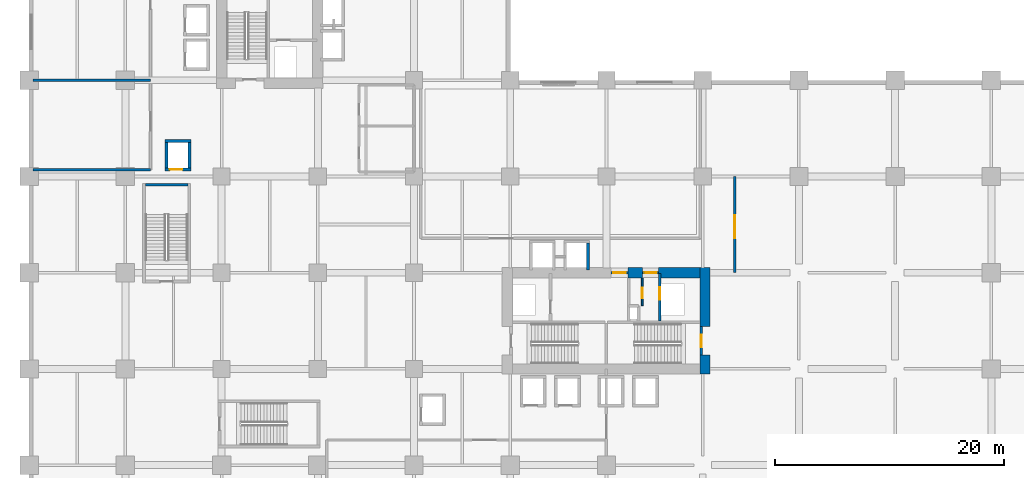
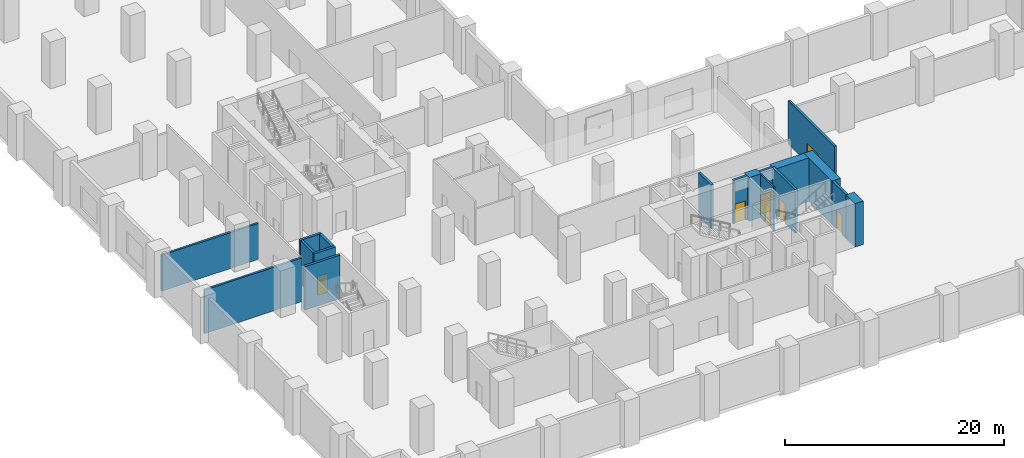
# One storey, part 10 of 19: 18 walls, 7 doors, 7 openings.
"""IFC4 building model written with IfcOpenShell, lengths in metres."""

from ifc_helpers import new_model, si_unit, direction, frame, frame_2d, origin, place, context, subcontext, project, spatial, rectangle, extrude, material, layer, layer_set, type_object, element, fill, save


model = new_model("IFC4")

# Units and contexts
model_context = context("Model", 3, precision=1e-05, world=origin(), true_north=direction((0.0, 1.0)))
body_context = subcontext(model_context, "Body", "Model", "MODEL_VIEW")
ifc_project = project(units=[si_unit("LENGTHUNIT", "METRE"), si_unit("AREAUNIT", "SQUARE_METRE"), si_unit("VOLUMEUNIT", "CUBIC_METRE"), si_unit("PLANEANGLEUNIT", "RADIAN"), si_unit("MASSUNIT", "GRAM", prefix="KILO")], contexts=[model_context])

# Site, building, storey
site_placement = place(None, origin())
site = spatial("IfcSite", under=ifc_project, at=site_placement, CompositionType="ELEMENT")
building_placement = place(site_placement, origin())
building = spatial("IfcBuilding", under=site, at=building_placement, Name="Koriwani Terraces Tower", CompositionType="ELEMENT")
storey_placement = place(building_placement, frame((0.0, 0.0, 15.60009765625)))
storey = spatial("IfcBuildingStorey", under=building, at=storey_placement, Name="L03", CompositionType="ELEMENT", Elevation=15.60009765625)

# Walls
ifc_material_1 = material(Name="Concrete C60/75", Category="concrete")
ifc_layer_1 = layer(ifc_material_1, 0.89990234375, Name="Concrete C60/75")
ifc_layer_set_1 = layer_set([ifc_layer_1], Name="Concrete C60/75")
wall_type_1 = type_object("IfcWallType", Name="WALL_CORE_RC_900", PredefinedType="SHEAR", material=ifc_layer_set_1)
wall_1_placement = place(storey_placement, frame((59.0, 16.35009765625, 0.0), z_axis=(0.0, 0.0, 1.0), x_axis=(0.0, 1.0, 0.0)))
element("IfcWall", 1, at=wall_1_placement, inside=storey, type_object=wall_type_1, Name="L03 East Split Core Shear Wall E1", PredefinedType="SHEAR", context=body_context, shape_type="SweptSolid", body=[
    extrude(rectangle(XDim=1.64990234375, YDim=0.89990234375, at=frame_2d((0.824951171875, 0.0))), origin(), (0.0, 0.0, 1.0), 4.849853515625),
])
wall_2_placement = place(storey_placement, frame((59.0, 20.5, 0.0), z_axis=(0.0, 0.0, 1.0), x_axis=(0.0, 1.0, 0.0)))
element("IfcWall", 2, at=wall_2_placement, inside=storey, type_object=wall_type_1, Name="L03 East Split Core Shear Wall E2", PredefinedType="SHEAR", context=body_context, shape_type="SweptSolid", body=[
    extrude(rectangle(XDim=5.14990234375, YDim=0.89990234375, at=frame_2d((2.574951171875, 0.0))), origin(), (0.0, 0.0, 1.0), 4.849853515625),
])
wall_3_placement = place(storey_placement, frame((52.280029296875, 25.199951171875, 0.0), z_axis=(0.0, 0.0, 1.0), x_axis=(1.0, 0.0, 0.0)))
element("IfcWall", 3, at=wall_3_placement, inside=storey, type_object=wall_type_1, Name="L03 East Split Core Shear Wall N2", PredefinedType="SHEAR", context=body_context, shape_type="SweptSolid", body=[
    extrude(rectangle(XDim=1.27001953125, YDim=0.89990234375, at=frame_2d((0.635009765625, 0.0))), origin(), (0.0, 0.0, 1.0), 4.849853515625),
])
wall_4_placement = place(storey_placement, frame((54.949951171875, 25.199951171875, 0.0), z_axis=(0.0, 0.0, 1.0), x_axis=(1.0, 0.0, 0.0)))
element("IfcWall", 4, at=wall_4_placement, inside=storey, type_object=wall_type_1, Name="L03 East Split Core Shear Wall N3", PredefinedType="SHEAR", context=body_context, shape_type="SweptSolid", body=[
    extrude(rectangle(XDim=3.60009765625, YDim=0.89990234375, at=frame_2d((1.800048828125, 0.0))), origin(), (0.0, 0.0, 1.0), 4.849853515625),
])

# Wall, opening, door
ifc_material_2 = material(Name="Autoclaved Cellular Concrete Blockwork", Category="masonry")
ifc_layer_2 = layer(ifc_material_2, 0.219970703125, Name="Autoclaved Cellular Concrete Blockwork")
ifc_layer_set_2 = layer_set([ifc_layer_2], Name="Autoclaved Cellular Concrete Blockwork")
wall_type_2 = type_object("IfcWallType", Name="WALL_DEMISING_220", PredefinedType="PARTITIONING", material=ifc_layer_set_2)
wall_5_placement = place(storey_placement, frame((61.60009765625, 25.199951171875, 0.0), z_axis=(0.0, 0.0, 1.0), x_axis=(0.0, 1.0, 0.0)))
wall_5 = element("IfcWall", 5, at=wall_5_placement, inside=storey, type_object=wall_type_2, Name="L03 Interior Wall WL03-BALL-WN", PredefinedType="PARTITIONING", context=body_context, shape_type="SweptSolid", body=[
    extrude(rectangle(XDim=8.400146484375, YDim=0.219970703125, at=frame_2d((4.2001953125, 0.0))), origin(), (0.0, 0.0, 1.0), 4.849853515625),
])
opening_1_placement = place(wall_5_placement, frame((3.0, 0.0, 0.0)))
opening_1 = element("IfcOpeningElement", 6, at=opening_1_placement, cuts=wall_5, Name="Opening D-02", PredefinedType="OPENING", context=body_context, shape_type="SweptSolid", body=[
    extrude(rectangle(XDim=2.0, YDim=2.14990234375, at=frame_2d((1.0, 1.074951171875))), frame((0.0, 0.1201171875, 0.0), z_axis=(0.0, -1.0, 0.0), x_axis=(1.0, 0.0, 0.0)), (0.0, 0.0, 1.0), 0.239990234375),
])
ifc_material_3 = material(Name="Anodised Bronze Aluminium", Category="aluminium")
door_type_1 = type_object("IfcDoorType", Name="DOOR_ENTRANCE_DOUBLE_2000X2400", OperationType="NOTDEFINED", PredefinedType="DOOR", material=ifc_material_3)
door_1_placement = place(opening_1_placement, origin())
door_1 = element("IfcDoor", 7, at=door_1_placement, inside=storey, type_object=door_type_1, Name="Grand Ballroom Service Foyer Door", OperationType="SINGLE_SWING_LEFT", OverallHeight=2.14990234375, OverallWidth=2.0, PredefinedType="DOOR", context=body_context, shape_type="SweptSolid", body=[
    extrude(rectangle(XDim=2.0, YDim=2.14990234375, at=frame_2d((1.0, 1.074951171875))), frame((0.0, 0.02490234375, 0.0), z_axis=(0.0, -1.0, 0.0), x_axis=(1.0, 0.0, 0.0)), (0.0, 0.0, 1.0), 0.050048828125),
])
fill(opening_1, door_1)

# Walls
wall_6_placement = place(storey_placement, frame((0.35009765625, 34.199951171875, 0.0), z_axis=(0.0, 0.0, 1.0), x_axis=(1.0, 0.0, 0.0)))
element("IfcWall", 8, at=wall_6_placement, inside=storey, type_object=wall_type_2, Name="L03 Interior Wall WL03-KIT-S", PredefinedType="PARTITIONING", context=body_context, shape_type="SweptSolid", body=[
    extrude(rectangle(XDim=10.25, YDim=0.219970703125, at=frame_2d((5.125, 0.0))), origin(), (0.0, 0.0, 1.0), 4.849853515625),
])
wall_7_placement = place(storey_placement, frame((0.35009765625, 42.0, 0.0), z_axis=(0.0, 0.0, 1.0), x_axis=(1.0, 0.0, 0.0)))
element("IfcWall", 9, at=wall_7_placement, inside=storey, type_object=wall_type_2, Name="L03 Interior Wall WL03-KIT-M", PredefinedType="PARTITIONING", context=body_context, shape_type="SweptSolid", body=[
    extrude(rectangle(XDim=10.25, YDim=0.219970703125, at=frame_2d((5.125, 0.0))), origin(), (0.0, 0.0, 1.0), 4.0),
])
ifc_material_4 = material(Name="Concrete C40/50", Category="concrete")
ifc_layer_3 = layer(ifc_material_4, 0.25, Name="Concrete C40/50")
ifc_layer_set_3 = layer_set([ifc_layer_3], Name="Concrete C40/50")
wall_type_3 = type_object("IfcWallType", Name="WALL_SHAFT_RATED_250", PredefinedType="SOLIDWALL", material=ifc_layer_set_3)
wall_8_placement = place(storey_placement, frame((10.14990234375, 32.875, 0.0), z_axis=(0.0, 0.0, 1.0), x_axis=(1.0, 0.0, 0.0)))
element("IfcWall", 10, at=wall_8_placement, inside=storey, type_object=wall_type_3, Name="L03 Podium Stair ST-P1 North Bearing Wall", PredefinedType="SOLIDWALL", context=body_context, shape_type="SweptSolid", body=[
    extrude(rectangle(XDim=3.7001953125, YDim=0.25, at=frame_2d((1.85009765625, 0.0))), origin(), (0.0, 0.0, 1.0), 4.849853515625),
])

# Wall, opening, door
wall_9_placement = place(storey_placement, frame((58.675048828125, 18.0, 0.0), z_axis=(0.0, 0.0, 1.0), x_axis=(0.0, 1.0, 0.0)))
wall_9 = element("IfcWall", 11, at=wall_9_placement, inside=storey, type_object=wall_type_3, Name="L03 Interior Wall WIN-CE-L03-STE", PredefinedType="SOLIDWALL", context=body_context, shape_type="SweptSolid", body=[
    extrude(rectangle(XDim=2.5, YDim=0.25, at=frame_2d((1.25, 0.0))), origin(), (0.0, 0.0, 1.0), 4.849853515625),
])
opening_2_placement = place(wall_9_placement, frame((0.699951171875, 0.0, 0.0)))
opening_2 = element("IfcOpeningElement", 12, at=opening_2_placement, cuts=wall_9, Name="Opening D-03", PredefinedType="OPENING", context=body_context, shape_type="SweptSolid", body=[
    extrude(rectangle(XDim=1.10009765625, YDim=2.14990234375, at=frame_2d((0.550048828125, 1.074951171875))), frame((0.0, 0.135009765625, 0.0), z_axis=(0.0, -1.0, 0.0), x_axis=(1.0, 0.0, 0.0)), (0.0, 0.0, 1.0), 0.27001953125),
])
ifc_material_5 = material(Name="Steel ASTM A572 Grade 50", Category="steel")
door_type_2 = type_object("IfcDoorType", Name="DOOR_STAIR_FIRE_1100X2150", OperationType="NOTDEFINED", PredefinedType="DOOR", material=ifc_material_5)
door_2_placement = place(opening_2_placement, origin())
door_2 = element("IfcDoor", 13, at=door_2_placement, inside=storey, type_object=door_type_2, Name="L03 Exit Stair ST-E2 Door", OperationType="SINGLE_SWING_LEFT", OverallHeight=2.14990234375, OverallWidth=1.10009765625, PredefinedType="DOOR", context=body_context, shape_type="SweptSolid", body=[
    extrude(rectangle(XDim=1.10009765625, YDim=2.14990234375, at=frame_2d((0.550048828125, 1.074951171875))), frame((0.0, 0.02490234375, 0.0), z_axis=(0.0, -1.0, 0.0), x_axis=(1.0, 0.0, 0.0)), (0.0, 0.0, 1.0), 0.050048828125),
])
fill(opening_2, door_2)

wall_10_placement = place(storey_placement, frame((50.800048828125, 25.199951171875, 0.0), z_axis=(0.0, 0.0, 1.0), x_axis=(1.0, 0.0, 0.0)))
wall_10 = element("IfcWall", 14, at=wall_10_placement, inside=storey, type_object=wall_type_3, Name="L03 Interior Wall WIN-CE-L03-NP", PredefinedType="SOLIDWALL", context=body_context, shape_type="SweptSolid", body=[
    extrude(rectangle(XDim=1.47998046875, YDim=0.25, at=frame_2d((0.739990234375, 0.0))), origin(), (0.0, 0.0, 1.0), 4.849853515625),
])
opening_3_placement = place(wall_10_placement, frame((0.179931640625, 0.0, 0.0)))
opening_3 = element("IfcOpeningElement", 15, at=opening_3_placement, cuts=wall_10, Name="Opening D-03", PredefinedType="OPENING", context=body_context, shape_type="SweptSolid", body=[
    extrude(rectangle(XDim=1.10009765625, YDim=2.14990234375, at=frame_2d((0.550048828125, 1.074951171875))), frame((0.0, 0.135009765625, 0.0), z_axis=(0.0, -1.0, 0.0), x_axis=(1.0, 0.0, 0.0)), (0.0, 0.0, 1.0), 0.27001953125),
])
door_3_placement = place(opening_3_placement, origin())
door_3 = element("IfcDoor", 16, at=door_3_placement, inside=storey, type_object=door_type_2, Name="L03 East Firefighting Lobby Door", OperationType="SINGLE_SWING_RIGHT", OverallHeight=2.14990234375, OverallWidth=1.10009765625, PredefinedType="DOOR", context=body_context, shape_type="SweptSolid", body=[
    extrude(rectangle(XDim=1.10009765625, YDim=2.14990234375, at=frame_2d((0.550048828125, 1.074951171875))), frame((0.0, 0.02490234375, 0.0), z_axis=(0.0, -1.0, 0.0), x_axis=(1.0, 0.0, 0.0)), (0.0, 0.0, 1.0), 0.050048828125),
])
fill(opening_3, door_3)

wall_11_placement = place(storey_placement, frame((55.050048828125, 21.0, 0.0), z_axis=(0.0, 0.0, 1.0), x_axis=(0.0, 1.0, 0.0)))
wall_11 = element("IfcWall", 17, at=wall_11_placement, inside=storey, type_object=wall_type_3, Name="L03 Interior Wall WIN-CE-L03-SE", PredefinedType="SOLIDWALL", context=body_context, shape_type="SweptSolid", body=[
    extrude(rectangle(XDim=4.14990234375, YDim=0.25, at=frame_2d((2.074951171875, 0.0))), origin(), (0.0, 0.0, 1.0), 4.849853515625),
])
opening_4_placement = place(wall_11_placement, frame((1.85009765625, 0.0, 0.0)))
opening_4 = element("IfcOpeningElement", 18, at=opening_4_placement, cuts=wall_11, Name="Opening LD-01", PredefinedType="OPENING", context=body_context, shape_type="SweptSolid", body=[
    extrude(rectangle(XDim=1.10009765625, YDim=2.14990234375, at=frame_2d((0.550048828125, 1.074951171875))), frame((0.0, 0.135009765625, 0.0), z_axis=(0.0, -1.0, 0.0), x_axis=(1.0, 0.0, 0.0)), (0.0, 0.0, 1.0), 0.27001953125),
])
door_type_3 = type_object("IfcDoorType", Name="DOOR_LIFT_LANDING_1100X2200", OperationType="NOTDEFINED", PredefinedType="DOOR", material=ifc_material_5)
door_4_placement = place(opening_4_placement, origin())
door_4 = element("IfcDoor", 19, at=door_4_placement, inside=storey, type_object=door_type_3, Name="L03 Goods Lift SE-02 Landing Door", OperationType="SLIDING_TO_LEFT", OverallHeight=2.14990234375, OverallWidth=1.10009765625, PredefinedType="DOOR", context=body_context, shape_type="SweptSolid", body=[
    extrude(rectangle(XDim=1.10009765625, YDim=2.14990234375, at=frame_2d((0.550048828125, 1.074951171875))), frame((0.0, 0.02490234375, 0.0), z_axis=(0.0, -1.0, 0.0), x_axis=(1.0, 0.0, 0.0)), (0.0, 0.0, 1.0), 0.050048828125),
])
fill(opening_4, door_4)

wall_12_placement = place(storey_placement, frame((53.550048828125, 25.199951171875, 0.0), z_axis=(0.0, 0.0, 1.0), x_axis=(1.0, 0.0, 0.0)))
wall_12 = element("IfcWall", 20, at=wall_12_placement, inside=storey, type_object=wall_type_3, Name="L03 Interior Wall WIN-CE-L03-NP2", PredefinedType="SOLIDWALL", context=body_context, shape_type="SweptSolid", body=[
    extrude(rectangle(XDim=1.39990234375, YDim=0.25, at=frame_2d((0.699951171875, 0.0))), origin(), (0.0, 0.0, 1.0), 4.849853515625),
])
opening_5_placement = place(wall_12_placement, frame((0.14990234375, 0.0, 0.0)))
opening_5 = element("IfcOpeningElement", 21, at=opening_5_placement, cuts=wall_12, Name="Opening D-03", PredefinedType="OPENING", context=body_context, shape_type="SweptSolid", body=[
    extrude(rectangle(XDim=1.10009765625, YDim=2.14990234375, at=frame_2d((0.550048828125, 1.074951171875))), frame((0.0, 0.135009765625, 0.0), z_axis=(0.0, -1.0, 0.0), x_axis=(1.0, 0.0, 0.0)), (0.0, 0.0, 1.0), 0.27001953125),
])
door_5_placement = place(opening_5_placement, origin())
door_5 = element("IfcDoor", 22, at=door_5_placement, inside=storey, type_object=door_type_2, Name="L03 East Goods Lift Lobby Door", OperationType="SINGLE_SWING_LEFT", OverallHeight=2.14990234375, OverallWidth=1.10009765625, PredefinedType="DOOR", context=body_context, shape_type="SweptSolid", body=[
    extrude(rectangle(XDim=1.10009765625, YDim=2.14990234375, at=frame_2d((0.550048828125, 1.074951171875))), frame((0.0, 0.02490234375, 0.0), z_axis=(0.0, -1.0, 0.0), x_axis=(1.0, 0.0, 0.0)), (0.0, 0.0, 1.0), 0.050048828125),
])
fill(opening_5, door_5)

wall_13_placement = place(storey_placement, frame((11.875, 34.199951171875, 0.0), z_axis=(0.0, 0.0, 1.0), x_axis=(1.0, 0.0, 0.0)))
wall_13 = element("IfcWall", 23, at=wall_13_placement, inside=storey, type_object=wall_type_3, Name="L03 Interior Wall WIN-LF-PE-P1-L03-F", PredefinedType="SOLIDWALL", context=body_context, shape_type="SweptSolid", body=[
    extrude(rectangle(XDim=2.25, YDim=0.25, at=frame_2d((1.125, 0.0))), origin(), (0.0, 0.0, 1.0), 4.849853515625),
])
opening_6_placement = place(wall_13_placement, frame((0.39990234375, 0.0, 0.0)))
opening_6 = element("IfcOpeningElement", 24, at=opening_6_placement, cuts=wall_13, Name="Opening LD-01", PredefinedType="OPENING", context=body_context, shape_type="SweptSolid", body=[
    extrude(rectangle(XDim=1.10009765625, YDim=2.14990234375, at=frame_2d((0.550048828125, 1.074951171875))), frame((0.0, 0.135009765625, 0.0), z_axis=(0.0, -1.0, 0.0), x_axis=(1.0, 0.0, 0.0)), (0.0, 0.0, 1.0), 0.27001953125),
])
door_6_placement = place(opening_6_placement, origin())
door_6 = element("IfcDoor", 25, at=door_6_placement, inside=storey, type_object=door_type_3, Name="L03 Passenger Lift PE-P1 Landing Door", OperationType="SLIDING_TO_LEFT", OverallHeight=2.14990234375, OverallWidth=1.10009765625, PredefinedType="DOOR", context=body_context, shape_type="SweptSolid", body=[
    extrude(rectangle(XDim=1.10009765625, YDim=2.14990234375, at=frame_2d((0.550048828125, 1.074951171875))), frame((0.0, 0.02490234375, 0.0), z_axis=(0.0, -1.0, 0.0), x_axis=(1.0, 0.0, 0.0)), (0.0, 0.0, 1.0), 0.050048828125),
])
fill(opening_6, door_6)

# Walls
for number, where, z_axis, x_axis, name in (
    (26, (11.875, 36.699951171875, 0.0), (0.0, 0.0, 1.0), (1.0, 0.0, 0.0), "L03 Interior Wall WIN-LF-PE-P1-L03-B"),
    (27, (12.0, 34.324951171875, 0.0), (0.0, 0.0, 1.0), (0.0, 1.0, 0.0), "L03 Interior Wall WIN-LF-PE-P1-L03-W"),
    (28, (14.0, 34.324951171875, 0.0), (0.0, 0.0, 1.0), (0.0, 1.0, 0.0), "L03 Interior Wall WIN-LF-PE-P1-L03-E"),
):
    element("IfcWall", number, at=place(storey_placement, frame(where, z_axis=z_axis, x_axis=x_axis)), inside=storey, type_object=wall_type_3, Name=name, PredefinedType="SOLIDWALL", context=body_context, shape_type="SweptSolid", body=[
        extrude(rectangle(XDim=2.25, YDim=0.25, at=frame_2d((1.125, 0.0))), origin(), (0.0, 0.0, 1.0), 4.849853515625),
    ])
wall_14_placement = place(storey_placement, frame((48.800048828125, 25.449951171875, 0.0), z_axis=(0.0, 0.0, 1.0), x_axis=(0.0, 1.0, 0.0)))
element("IfcWall", 29, at=wall_14_placement, inside=storey, type_object=wall_type_3, Name="L03 Interior Wall WIN-LF-PE-H4-L03-E", PredefinedType="SOLIDWALL", context=body_context, shape_type="SweptSolid", body=[
    extrude(rectangle(XDim=2.324951171875, YDim=0.25, at=frame_2d((1.16259765625, 0.0))), origin(), (0.0, 0.0, 1.0), 4.849853515625),
])

# Wall, opening, door
ifc_material_6 = material(Name="Fire-Rated Acoustic Gypsum Partition", Category="masonry")
ifc_layer_4 = layer(ifc_material_6, 0.159912109375, Name="Fire-Rated Acoustic Gypsum Partition")
ifc_layer_set_4 = layer_set([ifc_layer_4], Name="Fire-Rated Acoustic Gypsum Partition")
wall_type_4 = type_object("IfcWallType", Name="WALL_SUITE_160", PredefinedType="PARTITIONING", material=ifc_layer_set_4)
wall_15_placement = place(storey_placement, frame((53.52001953125, 22.320068359375, 0.0), z_axis=(0.0, 0.0, 1.0), x_axis=(0.0, 1.0, 0.0)))
wall_15 = element("IfcWall", 30, at=wall_15_placement, inside=storey, type_object=wall_type_4, Name="L03 Interior Wall WIN-CE-L03-SV0", PredefinedType="PARTITIONING", context=body_context, shape_type="SweptSolid", body=[
    extrude(rectangle(XDim=2.39990234375, YDim=0.159912109375, at=frame_2d((1.199951171875, 0.0))), origin(), (0.0, 0.0, 1.0), 4.849853515625),
])
opening_7_placement = place(wall_15_placement, frame((0.64990234375, 0.0, 0.0)))
opening_7 = element("IfcOpeningElement", 31, at=opening_7_placement, cuts=wall_15, Name="Opening D-07", PredefinedType="OPENING", context=body_context, shape_type="SweptSolid", body=[
    extrude(rectangle(XDim=0.89990234375, YDim=2.10009765625, at=frame_2d((0.449951171875, 1.050048828125))), frame((0.0, 0.08984375, 0.0), z_axis=(0.0, -1.0, 0.0), x_axis=(1.0, 0.0, 0.0)), (0.0, 0.0, 1.0), 0.179931640625),
])
ifc_material_7 = material(Name="Architectural Oak Fire Door", Category="wood")
door_type_4 = type_object("IfcDoorType", Name="DOOR_BATH_INT_900X2100", OperationType="NOTDEFINED", PredefinedType="DOOR", material=ifc_material_7)
door_7_placement = place(opening_7_placement, origin())
door_7 = element("IfcDoor", 32, at=door_7_placement, inside=storey, type_object=door_type_4, Name="L03 East Electrical Switch Room Door", OperationType="SINGLE_SWING_RIGHT", OverallHeight=2.10009765625, OverallWidth=0.89990234375, PredefinedType="DOOR", context=body_context, shape_type="SweptSolid", body=[
    extrude(rectangle(XDim=0.89990234375, YDim=2.10009765625, at=frame_2d((0.449951171875, 1.050048828125))), frame((0.0, 0.02490234375, 0.0), z_axis=(0.0, -1.0, 0.0), x_axis=(1.0, 0.0, 0.0)), (0.0, 0.0, 1.0), 0.050048828125),
])
fill(opening_7, door_7)

save(model, "model.ifc")
